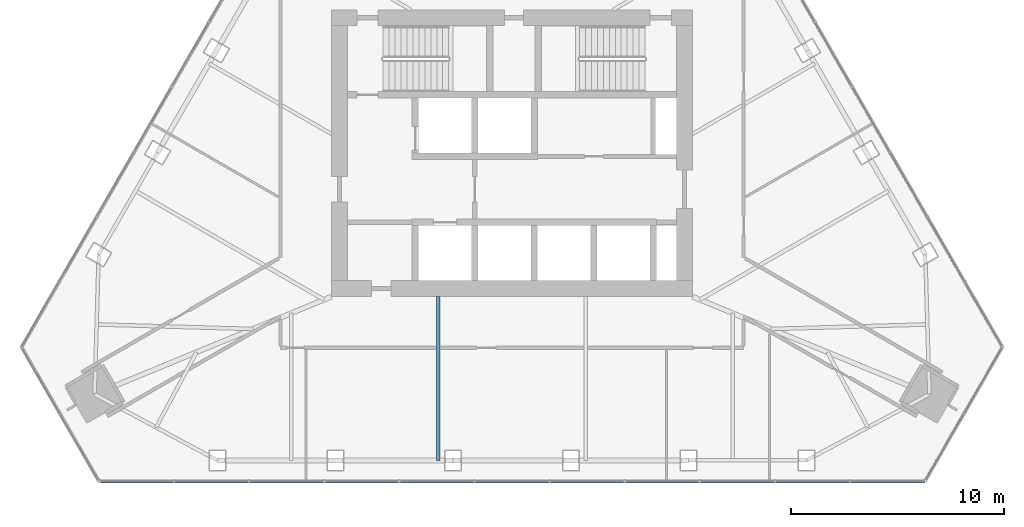
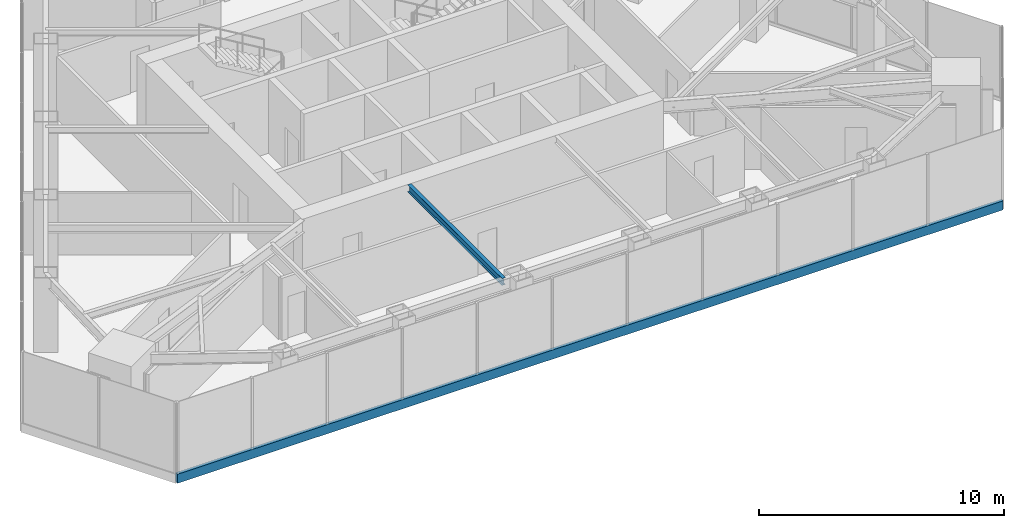
# One storey, part 3 of 13: 1 beam, 1 member, 1 element without a shape of its own.
"""IFC4 building model written with IfcOpenShell, lengths in metres."""

import ifcopenshell
import ifcopenshell.guid

model = None  # the IFC model being written
_history = None  # IfcOwnerHistory: only IFC2X3 demands one
_inside = {}  # id of a spatial element -> (the spatial element, [elements in it])
_under = {}  # id of a project, library or spatial element -> (it, [spatial elements below it])
_declared = {}  # id of a project -> (the project, [libraries it declares])
_typed = {}  # id of a type object -> (the type object, [elements of that type])
_made_of = {}  # id of a material, layer set ... -> (it, [elements and type objects made of it])


def new_model(schema):
    """Start an empty IFC model of exactly this schema.

    Asked for "IFC4X3", IfcOpenShell would pick the latest addendum, in which some entities
    have other attributes; the version numbers below select the first issue.
    IFC2X3 requires an IfcOwnerHistory on every rooted entity: one is made here for all.
    """
    global model, _history
    if schema == "IFC4X3":
        model = ifcopenshell.file(schema_version=(4, 3, 0, 0))
    else:
        model = ifcopenshell.file(schema=schema)
    _inside.clear()
    _under.clear()
    _declared.clear()
    _typed.clear()
    _made_of.clear()
    _history = None
    if model.schema == "IFC2X3":
        org = make("IfcOrganization", Name="unknown")
        user = make(
            "IfcPersonAndOrganization",
            ThePerson=make("IfcPerson", FamilyName="unknown"),
            TheOrganization=org,
        )
        app = make(
            "IfcApplication",
            ApplicationDeveloper=org,
            Version="unknown",
            ApplicationFullName="unknown",
            ApplicationIdentifier="unknown",
        )
        _history = make(
            "IfcOwnerHistory",
            OwningUser=user,
            OwningApplication=app,
            ChangeAction="ADDED",
            CreationDate=0,
        )
    return model


def make(cls, **values):
    """One entity of the class cls with the attributes given. An attribute that is None is left unset."""
    return model.create_entity(
        cls, **{name: value for name, value in values.items() if value is not None}
    )


def rooted(cls, **values):
    """An entity with a GlobalId (a new one), such as an element, a storey or a relation."""
    return make(cls, GlobalId=ifcopenshell.guid.new(), OwnerHistory=_history, **values)


def si_unit(unit_type, name, prefix=None):
    """IfcSIUnit, for example si_unit("LENGTHUNIT", "METRE", prefix="MILLI")."""
    return make("IfcSIUnit", UnitType=unit_type, Prefix=prefix, Name=name)


def assignment(units):
    """IfcUnitAssignment: the units of a project."""
    return None if units is None else make("IfcUnitAssignment", Units=units)


def point(xyz):
    """IfcCartesianPoint."""
    return None if xyz is None else make("IfcCartesianPoint", Coordinates=xyz)


def direction(xyz):
    """IfcDirection."""
    return None if xyz is None else make("IfcDirection", DirectionRatios=xyz)


def frame(location, z_axis=None, x_axis=None):
    """IfcAxis2Placement3D, a coordinate frame: its origin and axes. An axis left out is left unset."""
    return make(
        "IfcAxis2Placement3D",
        Location=point(location),
        Axis=direction(z_axis),
        RefDirection=direction(x_axis),
    )


def frame_2d(location, x_axis=None):
    """IfcAxis2Placement2D, a coordinate frame in the plane: its origin and x axis."""
    return make(
        "IfcAxis2Placement2D", Location=point(location), RefDirection=direction(x_axis)
    )


def origin():
    """The frame at (0, 0, 0) with its axes left unset."""
    return frame((0.0, 0.0, 0.0))


def origin_2d():
    """The frame at (0, 0) in the plane with its x axis left unset."""
    return frame_2d((0.0, 0.0))


def place(relative_to, where):
    """IfcLocalPlacement: puts the frame where relative to a parent placement (None: the world)."""
    return make(
        "IfcLocalPlacement", PlacementRelTo=relative_to, RelativePlacement=where
    )


def context(
    kind, dimensions, precision=None, world=None, true_north=None, identifier=None
):
    """IfcGeometricRepresentationContext, for example the 3D "Model" context."""
    return make(
        "IfcGeometricRepresentationContext",
        ContextIdentifier=identifier,
        ContextType=kind,
        CoordinateSpaceDimension=dimensions,
        Precision=precision,
        WorldCoordinateSystem=world,
        TrueNorth=true_north,
    )


def subcontext(parent, identifier, kind, view, scale=None):
    """IfcGeometricRepresentationSubContext, for example "Body" below "Model"."""
    return make(
        "IfcGeometricRepresentationSubContext",
        ContextIdentifier=identifier,
        ContextType=kind,
        ParentContext=parent,
        TargetScale=scale,
        TargetView=view,
    )


def project(units=None, contexts=None):
    """IfcProject with its units and contexts."""
    return rooted(
        "IfcProject",
        Name="project",
        RepresentationContexts=contexts,
        UnitsInContext=assignment(units),
    )


def spatial(cls, under=None, at=None, **own):
    """A site, building, storey or space (cls), placed at a placement, below another one or the project."""
    s = rooted(cls, ObjectPlacement=at, **own)
    if under is not None:
        _under.setdefault(under.id(), (under, []))[1].append(s)
    return s


def profile(cls, at=None, kind="AREA", **sizes):
    """A parametric profile (cls). Its sizes go by their IFC names, for example OverallWidth=200.0."""
    return make(cls, ProfileType=kind, Position=at, **sizes)


def rectangle(**sizes):
    """IfcRectangleProfileDef."""
    return profile("IfcRectangleProfileDef", **sizes)


def i_section(**sizes):
    """IfcIShapeProfileDef."""
    return profile("IfcIShapeProfileDef", **sizes)


def extrude(swept, where, along, depth):
    """IfcExtrudedAreaSolid: the profile swept, set in the frame where, extruded along a direction by depth."""
    return make(
        "IfcExtrudedAreaSolid",
        SweptArea=swept,
        Position=where,
        ExtrudedDirection=direction(along),
        Depth=depth,
    )


def shape(context_of_items, identifier, shape_type, items):
    """IfcShapeRepresentation: the items that make up one representation, for example the "Body"."""
    return make(
        "IfcShapeRepresentation",
        ContextOfItems=context_of_items,
        RepresentationIdentifier=identifier,
        RepresentationType=shape_type,
        Items=items,
    )


def material(Name=None, Category=None):
    """IfcMaterial."""
    return make("IfcMaterial", Name=Name, Category=Category)


def layer(
    of_material, thickness, ventilated=None, Name=None, Category=None, Priority=None
):
    """IfcMaterialLayer: one layer of a wall or slab, of a material (None: an air gap)."""
    return make(
        "IfcMaterialLayer",
        Material=of_material,
        LayerThickness=thickness,
        IsVentilated=ventilated,
        Name=Name,
        Category=Category,
        Priority=Priority,
    )


def layer_set(layers, Name=None):
    """IfcMaterialLayerSet."""
    return make("IfcMaterialLayerSet", MaterialLayers=layers, LayerSetName=Name)


def material_profile(
    of_material, cross_section, Name=None, Category=None, Priority=None
):
    """IfcMaterialProfile: a cross section and its material."""
    return make(
        "IfcMaterialProfile",
        Name=Name,
        Material=of_material,
        Profile=cross_section,
        Priority=Priority,
        Category=Category,
    )


def profile_set(profiles, Name=None, composite=None):
    """IfcMaterialProfileSet."""
    return make(
        "IfcMaterialProfileSet",
        Name=Name,
        MaterialProfiles=profiles,
        CompositeProfile=composite,
    )


def made_of(thing, what):
    """Note that an element or type object is made of a material, layer set ...; save() writes the relation."""
    if what is not None:
        _made_of.setdefault(what.id(), (what, []))[1].append(thing)
    return thing


def type_object(cls, material=None, **own):
    """A type object (cls), such as IfcWallType, which elements share."""
    return made_of(rooted(cls, **own), material)


def element(
    cls,
    number,
    at=None,
    inside=None,
    cuts=None,
    type_object=None,
    material=None,
    context=None,
    identifier="Body",
    shape_type=None,
    held_by="IfcProductDefinitionShape",
    body=None,
    shapes=None,
    **own,
):
    """One element of the class cls, such as IfcWall. Its Tag is "e" and its number.

    at: its placement. inside: the storey or other place that contains it. cuts: it is an
    opening in that element (IfcRelVoidsElement). A single representation is given by context,
    identifier, shape_type and body (its items); several are given by shapes. held_by: the class
    of the entity that holds the representations. save() writes the other relations.
    """
    e = rooted(cls, Tag="e%d" % number, ObjectPlacement=at, **own)
    if body is not None:
        shapes = [shape(context, identifier, shape_type, body)]
    if shapes is not None:
        e.Representation = make(held_by, Representations=shapes)
    if inside is not None:
        _inside.setdefault(inside.id(), (inside, []))[1].append(e)
    if cuts is not None:
        rooted(
            "IfcRelVoidsElement", RelatingBuildingElement=cuts, RelatedOpeningElement=e
        )
    if type_object is not None:
        _typed.setdefault(type_object.id(), (type_object, []))[1].append(e)
    return made_of(e, material)


def aggregate(whole, parts):
    """IfcRelAggregates: a whole, such as a stair, and the parts it consists of."""
    return rooted("IfcRelAggregates", RelatingObject=whole, RelatedObjects=parts)


def save(model, path):
    """Write the relations noted so far, then the file.

    IfcRelAggregates (storeys below a building ...), IfcRelContainedInSpatialStructure (elements
    in a storey), IfcRelDefinesByType, IfcRelAssociatesMaterial and IfcRelDeclares: one each for
    every whole, place, type object, material and project.
    """
    for whole, parts in _under.values():
        aggregate(whole, parts)
    for where, things in _inside.values():
        rooted(
            "IfcRelContainedInSpatialStructure",
            RelatedElements=things,
            RelatingStructure=where,
        )
    for kind, things in _typed.values():
        rooted("IfcRelDefinesByType", RelatedObjects=things, RelatingType=kind)
    for what, things in _made_of.values():
        rooted("IfcRelAssociatesMaterial", RelatedObjects=things, RelatingMaterial=what)
    for by, libraries in _declared.values():
        rooted("IfcRelDeclares", RelatingContext=by, RelatedDefinitions=libraries)
    model.write(path)


model = new_model("IFC4")

# Units and contexts
model_context = context("Model", 3, precision=1e-05, world=origin(), true_north=direction((0.0, 1.0)))
body_context = subcontext(model_context, "Body", "Model", "MODEL_VIEW")
ifc_project = project(units=[si_unit("LENGTHUNIT", "METRE"), si_unit("AREAUNIT", "SQUARE_METRE"), si_unit("VOLUMEUNIT", "CUBIC_METRE"), si_unit("PLANEANGLEUNIT", "RADIAN"), si_unit("MASSUNIT", "GRAM", prefix="KILO")], contexts=[model_context])

# Site, building, storey
site_placement = place(None, origin())
site = spatial("IfcSite", under=ifc_project, at=site_placement, CompositionType="ELEMENT")
building_placement = place(site_placement, origin())
building = spatial("IfcBuilding", under=site, at=building_placement, Name="Firuza Gate Tower and Library", CompositionType="ELEMENT")
storey_placement = place(building_placement, frame((0.0, 0.0, 335.60009765625)))
storey = spatial("IfcBuildingStorey", under=building, at=storey_placement, Name="L82", CompositionType="ELEMENT", Elevation=335.60009765625)

# Curtain wall, member
ifc_material_1 = material(Name="Aluminium 6063-T6", Category="aluminium")
ifc_layer = layer(ifc_material_1, 0.14990234375)
ifc_layer_set = layer_set([ifc_layer], Name="Ceramic screen wall, crown plant")
curtain_wall_type = type_object("IfcCurtainWallType", Name="Ceramic screen wall, crown plant", PredefinedType="NOTDEFINED", material=ifc_layer_set)
curtain_wall_placement = place(storey_placement, origin())
curtain_wall = element("IfcCurtainWall", 1, at=curtain_wall_placement, inside=storey, type_object=curtain_wall_type, Name="CW6 L82 S", PredefinedType="NOTDEFINED")
ifc_material_2 = material(Name="Aluminium 6063-T6", Category="aluminium")
ifc_material_profile_1 = material_profile(ifc_material_2, rectangle(XDim=0.14990234375, YDim=0.449951171875, at=origin_2d()))
ifc_profile_set_1 = profile_set([ifc_material_profile_1], Name="Aluminium 6063-T6")
member_type = type_object("IfcMemberType", Name="Curtain wall transom 450x150", PredefinedType="USERDEFINED", material=ifc_profile_set_1)
member_placement = place(storey_placement, frame((55.556640625, 59.5673828125, -0.0751953125), z_axis=(1.0, 0.0, 0.0), x_axis=(0.0, 1.0, 0.0)))
member = element("IfcMember", 2, at=member_placement, type_object=member_type, Name="Transom", ObjectType="TRANSOM", PredefinedType="USERDEFINED", context=body_context, shape_type="SweptSolid", body=[
    extrude(rectangle(XDim=0.14990234375, YDim=0.449951171875, at=origin_2d()), origin(), (0.0, 0.0, 1.0), 38.88671875),
])
aggregate(curtain_wall, [member])

# Beam
ifc_material_3 = material(Name="Steel S355", Category="steel")
ifc_material_profile_2 = material_profile(ifc_material_3, i_section(OverallWidth=0.1708984375, OverallDepth=0.35498046875, WebThickness=0.007080078125, FlangeThickness=0.01171875, at=origin_2d()))
ifc_profile_set_2 = profile_set([ifc_material_profile_2], Name="Steel S355")
beam_type = type_object("IfcBeamType", Name="W360x51 Floor beam", PredefinedType="JOIST", material=ifc_profile_set_2)
beam_placement = place(storey_placement, frame((71.53564453125, 60.54248046875, 3.5224609375), z_axis=(0.0, 1.0, 0.0), x_axis=(-1.0, 0.0, 0.0)))
element("IfcBeam", 3, at=beam_placement, inside=storey, type_object=beam_type, Name="Floor beam L82 s21", PredefinedType="JOIST", context=body_context, shape_type="SweptSolid", body=[
    extrude(i_section(OverallWidth=0.1708984375, OverallDepth=0.35498046875, WebThickness=0.007080078125, FlangeThickness=0.01171875, at=origin_2d()), origin(), (0.0, 0.0, 1.0), 7.70751953125),
])

save(model, "model.ifc")
